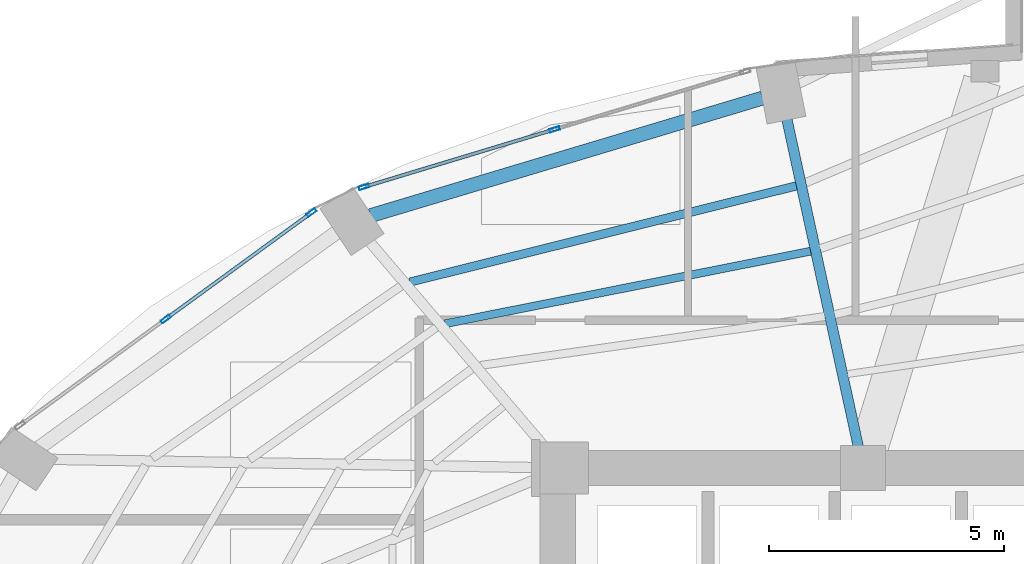
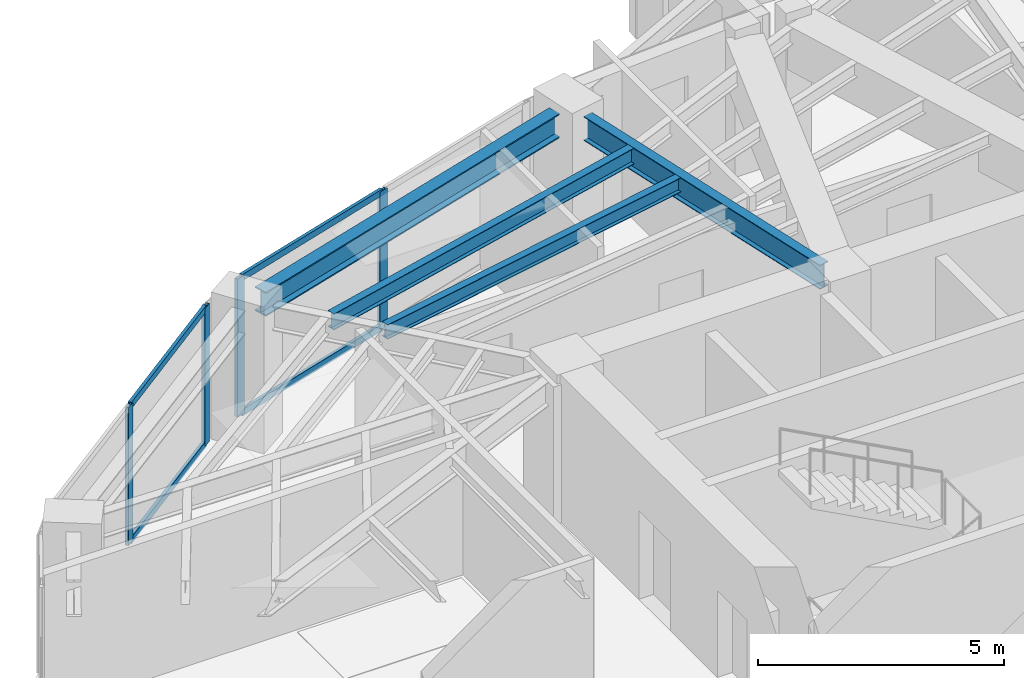
# One storey, part 14 of 23: 8 members, 4 beams, 2 elements without a shape of their own.
"""IFC4 building model written with IfcOpenShell, lengths in metres."""

from ifc_helpers import new_model, si_unit, direction, frame, origin, origin_2d, place, context, subcontext, project, spatial, hollow_rectangle, i_section, extrude, material, layer, layer_set, material_profile, profile_set, type_object, element, aggregate, save


model = new_model("IFC4")

# Units and contexts
model_context = context("Model", 3, precision=1e-05, world=origin(), true_north=direction((0.0, 1.0)))
body_context = subcontext(model_context, "Body", "Model", "MODEL_VIEW")
ifc_project = project(units=[si_unit("LENGTHUNIT", "METRE"), si_unit("AREAUNIT", "SQUARE_METRE"), si_unit("VOLUMEUNIT", "CUBIC_METRE"), si_unit("PLANEANGLEUNIT", "RADIAN"), si_unit("MASSUNIT", "GRAM", prefix="KILO")], contexts=[model_context])

# Site, building, storey
site_placement = place(None, origin())
site = spatial("IfcSite", under=ifc_project, at=site_placement, CompositionType="ELEMENT")
building_placement = place(site_placement, origin())
building = spatial("IfcBuilding", under=site, at=building_placement, Name="Lazwardi Medical Tower", CompositionType="ELEMENT")
storey_placement = place(building_placement, frame((0.0, 0.0, 81.743896484375)))
storey = spatial("IfcBuildingStorey", under=building, at=storey_placement, Name="L20", CompositionType="ELEMENT", Elevation=81.743896484375)

# Beams
ifc_material_1 = material(Name="Steel S355", Category="steel")
ifc_material_profile_1 = material_profile(ifc_material_1, i_section(OverallWidth=0.300048828125, OverallDepth=0.60009765625, WebThickness=0.015380859375, FlangeThickness=0.030029296875, at=origin_2d()), Name="HEB 600")
ifc_profile_set_1 = profile_set([ifc_material_profile_1], Name="Steel S355")
beam_type_1 = type_object("IfcBeamType", Name="BM-RB-Z2", PredefinedType="BEAM", material=ifc_profile_set_1)
beam_1_placement = place(storey_placement, frame((30.661865234375, 43.4794921875, 3.128173828125), z_axis=(-0.957879438442, -0.287170648587, 0.0), x_axis=(0.287170648587, -0.957879438442, 0.0)))
element("IfcBeam", 1, at=beam_1_placement, inside=storey, type_object=beam_type_1, Name="Ring beam RB-03 B09 L20", PredefinedType="BEAM", context=body_context, shape_type="SweptSolid", body=[
    extrude(i_section(OverallWidth=0.300048828125, OverallDepth=0.60009765625, WebThickness=0.015380859375, FlangeThickness=0.030029296875, at=origin_2d()), origin(), (0.0, 0.0, 1.0), 8.719970703125),
])
ifc_material_profile_2 = material_profile(ifc_material_1, i_section(OverallWidth=0.219970703125, OverallDepth=0.60009765625, WebThickness=0.011962890625, FlangeThickness=0.01904296875, at=origin_2d()), Name="IPE 600")
ifc_profile_set_2 = profile_set([ifc_material_profile_2], Name="Steel S355")
beam_type_2 = type_object("IfcBeamType", Name="BM-RG-W1", PredefinedType="BEAM", material=ifc_profile_set_2)
beam_2_placement = place(storey_placement, frame((31.17822265625, 43.03076171875, 3.128173828125), z_axis=(0.213228150441, -0.977002433907, 0.0), x_axis=(0.977002433907, 0.213228150441, 0.0)))
element("IfcBeam", 2, at=beam_2_placement, inside=storey, type_object=beam_type_2, Name="Radial girder RG-02 R09 L20", PredefinedType="BEAM", context=body_context, shape_type="SweptSolid", body=[
    extrude(i_section(OverallWidth=0.219970703125, OverallDepth=0.60009765625, WebThickness=0.011962890625, FlangeThickness=0.01904296875, at=origin_2d()), origin(), (0.0, 0.0, 1.0), 7.145751953125),
])
ifc_material_profile_3 = material_profile(ifc_material_1, i_section(OverallWidth=0.179931640625, OverallDepth=0.39990234375, WebThickness=0.008544921875, FlangeThickness=0.013427734375, at=origin_2d()), Name="IPE 400")
ifc_profile_set_3 = profile_set([ifc_material_profile_3], Name="Steel S355")
beam_type_3 = type_object("IfcBeamType", Name="BM-SJ-01", PredefinedType="JOIST", material=ifc_profile_set_3)
beam_3_placement = place(storey_placement, frame((31.381103515625, 41.609130859375, 3.22802734375), z_axis=(-0.970400881943, -0.241499748081, 0.0), x_axis=(0.241499748081, -0.970400881943, 0.0)))
element("IfcBeam", 3, at=beam_3_placement, inside=storey, type_object=beam_type_3, Name="Secondary joist SJ-01 R1 B09 L20", PredefinedType="JOIST", context=body_context, shape_type="SweptSolid", body=[
    extrude(i_section(OverallWidth=0.179931640625, OverallDepth=0.39990234375, WebThickness=0.008544921875, FlangeThickness=0.013427734375, at=origin_2d()), origin(), (0.0, 0.0, 1.0), 8.48583984375),
])
ifc_material_profile_4 = material_profile(ifc_material_1, i_section(OverallWidth=0.169921875, OverallDepth=0.360107421875, WebThickness=0.008056640625, FlangeThickness=0.0126953125, at=origin_2d()), Name="IPE 360")
ifc_profile_set_4 = profile_set([ifc_material_profile_4], Name="Steel S355")
beam_type_4 = type_object("IfcBeamType", Name="BM-SJ-02", PredefinedType="JOIST", material=ifc_profile_set_4)
beam_4_placement = place(storey_placement, frame((31.684814453125, 40.2177734375, 3.248046875), z_axis=(-0.980878853282, -0.194619308352, 0.0), x_axis=(0.194619308352, -0.980878853282, 0.0)))
element("IfcBeam", 4, at=beam_4_placement, inside=storey, type_object=beam_type_4, Name="Secondary joist SJ-02 R2 B09 L20", PredefinedType="JOIST", context=body_context, shape_type="SweptSolid", body=[
    extrude(i_section(OverallWidth=0.169921875, OverallDepth=0.360107421875, WebThickness=0.008056640625, FlangeThickness=0.0126953125, at=origin_2d()), origin(), (0.0, 0.0, 1.0), 7.93701171875),
])

# Curtain wall, members
ifc_material_2 = material(Name="Anodised bronze aluminium and solar control glazing", Category="aluminium")
ifc_layer = layer(ifc_material_2, 0.195068359375)
ifc_layer_set = layer_set([ifc_layer], Name="Anodised bronze aluminium and solar control glazing")
curtain_wall_type = type_object("IfcCurtainWallType", Name="CW-SYS-03", PredefinedType="NOTDEFINED", material=ifc_layer_set)
curtain_wall_1_placement = place(storey_placement, origin())
curtain_wall_1 = element("IfcCurtainWall", 5, at=curtain_wall_1_placement, inside=storey, type_object=curtain_wall_type, Name="L20 Unitised bronze curtain wall CW-03", PredefinedType="NOTDEFINED")
ifc_material_3 = material(Name="Anodised bronze aluminium", Category="aluminium")
ifc_material_profile_5 = material_profile(ifc_material_3, hollow_rectangle(XDim=0.074951171875, YDim=0.219970703125, WallThickness=0.00390625, at=origin_2d()), Name="ALU-MULLION 220x75x4")
ifc_profile_set_5 = profile_set([ifc_material_profile_5], Name="Anodised bronze aluminium")
member_type_1 = type_object("IfcMemberType", Name="CW-MUL-01", PredefinedType="MULLION", material=ifc_profile_set_5)
member_1_placement = place(storey_placement, frame((26.230712890625, 42.81298828125, 0.0), z_axis=(0.0, 0.0, 1.0), x_axis=(0.28937381157, -0.957216170558, 0.0)))
member_1 = element("IfcMember", 6, at=member_1_placement, type_object=member_type_1, Name="CW-03 mullion 2", PredefinedType="MULLION", context=body_context, shape_type="SweptSolid", body=[
    extrude(hollow_rectangle(XDim=0.074951171875, YDim=0.219970703125, WallThickness=0.00390625, at=origin_2d()), origin(), (0.0, 0.0, 1.0), 3.42822265625),
])
member_2_placement = place(storey_placement, frame((22.171630859375, 41.5859375, 0.0), z_axis=(0.0, 0.0, 1.0), x_axis=(0.28937381157, -0.957216170558, 0.0)))
member_2 = element("IfcMember", 7, at=member_2_placement, type_object=member_type_1, Name="CW-03 mullion 3", PredefinedType="MULLION", context=body_context, shape_type="SweptSolid", body=[
    extrude(hollow_rectangle(XDim=0.074951171875, YDim=0.219970703125, WallThickness=0.00390625, at=origin_2d()), origin(), (0.0, 0.0, 1.0), 3.42822265625),
])

curtain_wall_2_placement = place(storey_placement, origin())
curtain_wall_2 = element("IfcCurtainWall", 8, at=curtain_wall_2_placement, inside=storey, type_object=curtain_wall_type, Name="L20 Unitised bronze curtain wall CW-03", PredefinedType="NOTDEFINED")
member_3_placement = place(storey_placement, frame((21.052734375, 41.03955078125, 0.0), z_axis=(0.0, 0.0, 1.0), x_axis=(0.589530882802, -0.807745837639, 0.0)))
member_3 = element("IfcMember", 9, at=member_3_placement, type_object=member_type_1, Name="CW-03 mullion 1", PredefinedType="MULLION", context=body_context, shape_type="SweptSolid", body=[
    extrude(hollow_rectangle(XDim=0.074951171875, YDim=0.219970703125, WallThickness=0.00390625, at=origin_2d()), origin(), (0.0, 0.0, 1.0), 3.42822265625),
])
member_4_placement = place(storey_placement, frame((17.948974609375, 38.774169921875, 0.0), z_axis=(0.0, 0.0, 1.0), x_axis=(0.589530882802, -0.807745837639, 0.0)))
member_4 = element("IfcMember", 10, at=member_4_placement, type_object=member_type_1, Name="CW-03 mullion 2", PredefinedType="MULLION", context=body_context, shape_type="SweptSolid", body=[
    extrude(hollow_rectangle(XDim=0.074951171875, YDim=0.219970703125, WallThickness=0.00390625, at=origin_2d()), origin(), (0.0, 0.0, 1.0), 3.42822265625),
])

# Member
ifc_material_profile_6 = material_profile(ifc_material_3, hollow_rectangle(XDim=0.074951171875, YDim=0.159912109375, WallThickness=0.00390625, at=origin_2d()), Name="ALU-TRANSOM 160x75x4")
ifc_profile_set_6 = profile_set([ifc_material_profile_6], Name="Anodised bronze aluminium")
member_type_2 = type_object("IfcMemberType", Name="CW-TRN-01", PredefinedType="USERDEFINED", material=ifc_profile_set_6)
member_5_placement = place(storey_placement, frame((26.19482421875, 42.80224609375, 0.03759765625), z_axis=(-0.957220865985, -0.289358279168, 0.0), x_axis=(0.289358279168, -0.957220865985, 0.0)))
member_5 = element("IfcMember", 11, at=member_5_placement, type_object=member_type_2, Name="CW-03 transom 2.1", ObjectType="TRANSOM", PredefinedType="USERDEFINED", context=body_context, shape_type="SweptSolid", body=[
    extrude(hollow_rectangle(XDim=0.074951171875, YDim=0.159912109375, WallThickness=0.00390625, at=origin_2d()), origin(), (0.0, 0.0, 1.0), 4.16552734375),
])

member_6_placement = place(storey_placement, frame((26.19482421875, 42.80224609375, 3.390625), z_axis=(-0.957220865985, -0.289358279168, 0.0), x_axis=(0.289358279168, -0.957220865985, 0.0)))
member_6 = element("IfcMember", 12, at=member_6_placement, type_object=member_type_2, Name="CW-03 transom 2.2", ObjectType="TRANSOM", PredefinedType="USERDEFINED", context=body_context, shape_type="SweptSolid", body=[
    extrude(hollow_rectangle(XDim=0.074951171875, YDim=0.159912109375, WallThickness=0.00390625, at=origin_2d()), origin(), (0.0, 0.0, 1.0), 4.16552734375),
])

aggregate(curtain_wall_1, [member_1, member_2, member_5, member_6])

member_7_placement = place(storey_placement, frame((21.0224609375, 41.017578125, 0.03759765625), z_axis=(-0.807731734271, -0.589550206049, 0.0), x_axis=(0.589550206049, -0.807731734271, 0.0)))
member_7 = element("IfcMember", 13, at=member_7_placement, type_object=member_type_2, Name="CW-03 transom 1.1", ObjectType="TRANSOM", PredefinedType="USERDEFINED", context=body_context, shape_type="SweptSolid", body=[
    extrude(hollow_rectangle(XDim=0.074951171875, YDim=0.159912109375, WallThickness=0.00390625, at=origin_2d()), origin(), (0.0, 0.0, 1.0), 3.767578125),
])

member_8_placement = place(storey_placement, frame((21.0224609375, 41.017578125, 3.390625), z_axis=(-0.807731734271, -0.589550206049, 0.0), x_axis=(0.589550206049, -0.807731734271, 0.0)))
member_8 = element("IfcMember", 14, at=member_8_placement, type_object=member_type_2, Name="CW-03 transom 1.2", ObjectType="TRANSOM", PredefinedType="USERDEFINED", context=body_context, shape_type="SweptSolid", body=[
    extrude(hollow_rectangle(XDim=0.074951171875, YDim=0.159912109375, WallThickness=0.00390625, at=origin_2d()), origin(), (0.0, 0.0, 1.0), 3.767578125),
])

aggregate(curtain_wall_2, [member_3, member_4, member_7, member_8])

save(model, "model.ifc")
